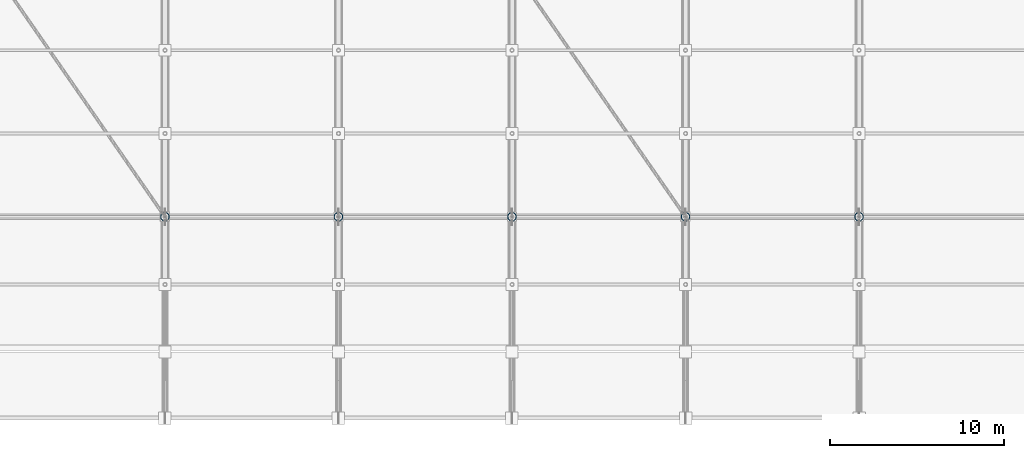
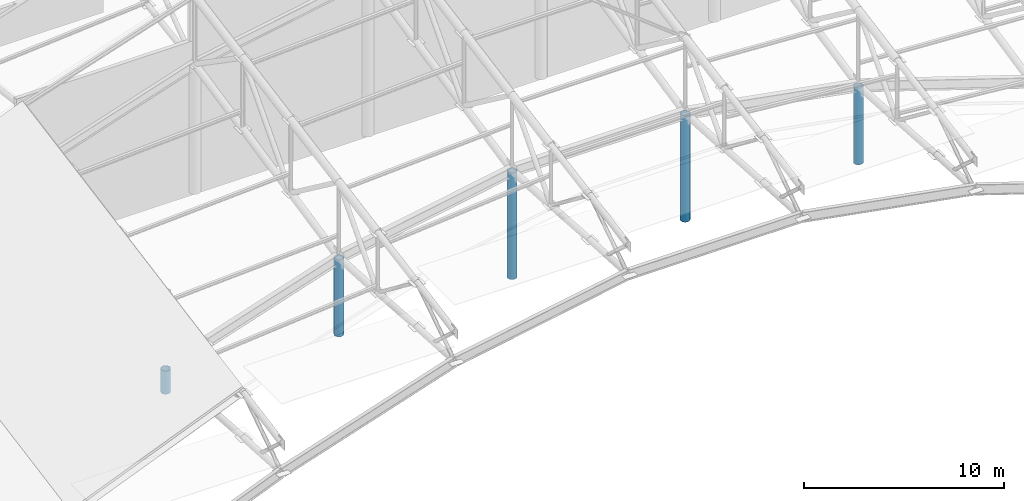
# One storey, part 3 of 146: 5 columns.
"""IFC4 building model written with IfcOpenShell, lengths in metres."""

from ifc_helpers import new_model, si_unit, direction, frame, origin, origin_2d, place, context, subcontext, project, spatial, hollow_circle, extrude, material, material_profile, profile_set, type_object, element, save


model = new_model("IFC4")

# Units and contexts
model_context = context("Model", 3, precision=1e-05, world=origin(), true_north=direction((0.0, 1.0)))
body_context = subcontext(model_context, "Body", "Model", "MODEL_VIEW")
ifc_project = project(units=[si_unit("LENGTHUNIT", "METRE"), si_unit("AREAUNIT", "SQUARE_METRE"), si_unit("VOLUMEUNIT", "CUBIC_METRE"), si_unit("PLANEANGLEUNIT", "RADIAN"), si_unit("MASSUNIT", "GRAM", prefix="KILO")], contexts=[model_context])

# Site, building, storey
site_placement = place(None, origin())
site = spatial("IfcSite", under=ifc_project, at=site_placement, CompositionType="ELEMENT")
building_placement = place(site_placement, origin())
building = spatial("IfcBuilding", under=site, at=building_placement, Name="Candeia Ridge Stadium", CompositionType="ELEMENT")
storey_placement = place(building_placement, frame((0.0, 0.0, 31.800048828125)))
storey = spatial("IfcBuildingStorey", under=building, at=storey_placement, Name="RF", CompositionType="ELEMENT", Elevation=31.800048828125)

# Columns
ifc_material = material(Name="Steel ASTM A572 Grade 50", Category="steel")
ifc_material_profile = material_profile(ifc_material, hollow_circle(Radius=0.25390625, WallThickness=0.02197265625, at=origin_2d()), Name="CHS508x22", Category="steel")
ifc_profile_set = profile_set([ifc_material_profile], Name="Steel ASTM A572 Grade 50")
column_type = type_object("IfcColumnType", Name="Roof Inner Mast CHS508x22", PredefinedType="PILASTER", material=ifc_profile_set)
column_1_placement = place(storey_placement, frame((121.0, 132.60009765625, 0.0), z_axis=(0.0, 0.0, 1.0), x_axis=(1.0, 0.0, 0.0)))
element("IfcColumn", 1, at=column_1_placement, inside=storey, type_object=column_type, Name="Roof truss steel mast column BC-MD-02 RF", PredefinedType="PILASTER", context=body_context, shape_type="SweptSolid", body=[
    extrude(hollow_circle(Radius=0.25390625, WallThickness=0.02197265625, at=origin_2d()), origin(), (0.0, 0.0, 1.0), 4.68505859375),
])
for number, where, z_axis, x_axis, name in (
    (2, (111.0, 132.60009765625, 0.0), (0.0, 0.0, 1.0), (1.0, 0.0, 0.0), "Roof truss steel mast column BC-MD-03 RF"),
    (3, (101.0, 132.60009765625, 0.0), (0.0, 0.0, 1.0), (1.0, 0.0, 0.0), "Roof truss steel mast column BC-MD-04 RF"),
):
    element("IfcColumn", number, at=place(storey_placement, frame(where, z_axis=z_axis, x_axis=x_axis)), inside=storey, type_object=column_type, Name=name, PredefinedType="PILASTER", context=body_context, shape_type="SweptSolid", body=[
        extrude(hollow_circle(Radius=0.25390625, WallThickness=0.02197265625, at=origin_2d()), origin(), (0.0, 0.0, 1.0), 6.500244140625),
    ])
column_2_placement = place(storey_placement, frame((91.0, 132.60009765625, 0.0), z_axis=(0.0, 0.0, 1.0), x_axis=(1.0, 0.0, 0.0)))
element("IfcColumn", 4, at=column_2_placement, inside=storey, type_object=column_type, Name="Roof truss steel mast column BC-MD-05 RF", PredefinedType="PILASTER", context=body_context, shape_type="SweptSolid", body=[
    extrude(hollow_circle(Radius=0.25390625, WallThickness=0.02197265625, at=origin_2d()), origin(), (0.0, 0.0, 1.0), 4.68505859375),
])
column_3_placement = place(storey_placement, frame((81.0, 132.60009765625, 0.0), z_axis=(0.0, 0.0, 1.0), x_axis=(1.0, 0.0, 0.0)))
element("IfcColumn", 5, at=column_3_placement, inside=storey, type_object=column_type, Name="Roof truss steel mast column BC-MD-06 RF", PredefinedType="PILASTER", context=body_context, shape_type="SweptSolid", body=[
    extrude(hollow_circle(Radius=0.25390625, WallThickness=0.02197265625, at=origin_2d()), origin(), (0.0, 0.0, 1.0), 1.41455078125),
])

save(model, "model.ifc")
